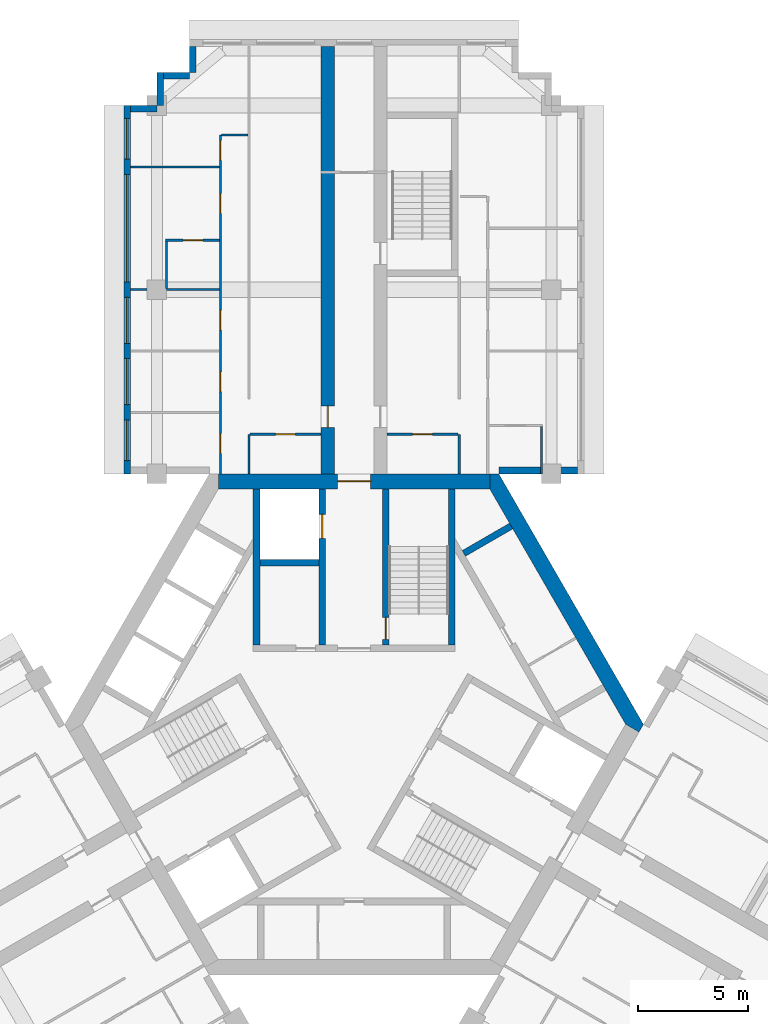
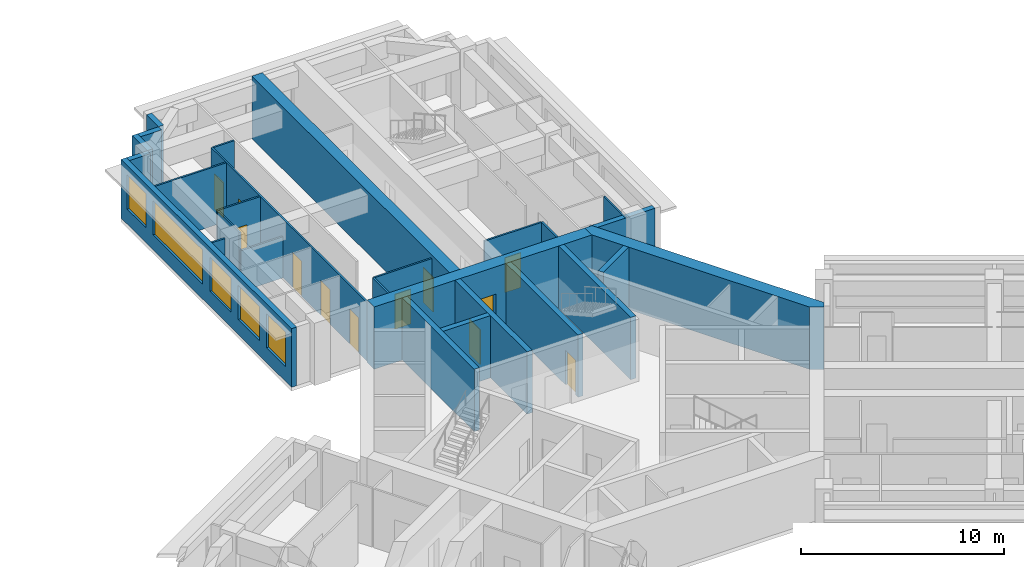
# One storey, part 7 of 10: 27 walls, 12 doors, 5 windows, 17 openings.
"""IFC4 building model written with IfcOpenShell, lengths in metres."""

from ifc_helpers import new_model, si_unit, direction, frame, frame_2d, origin, place, context, subcontext, project, spatial, polyline, rectangle, outline, extrude, material, layer, layer_set, type_object, element, fill, save


model = new_model("IFC4")

# Units and contexts
model_context = context("Model", 3, precision=1e-05, world=origin(), true_north=direction((0.0, 1.0)))
body_context = subcontext(model_context, "Body", "Model", "MODEL_VIEW")
ifc_project = project(units=[si_unit("LENGTHUNIT", "METRE"), si_unit("AREAUNIT", "SQUARE_METRE"), si_unit("VOLUMEUNIT", "CUBIC_METRE"), si_unit("PLANEANGLEUNIT", "RADIAN"), si_unit("MASSUNIT", "GRAM", prefix="KILO")], contexts=[model_context])

# Site, building, storey
site_placement = place(None, origin())
site = spatial("IfcSite", under=ifc_project, at=site_placement, CompositionType="ELEMENT")
building_placement = place(site_placement, origin())
building = spatial("IfcBuilding", under=site, at=building_placement, Name="Impinga Residences", CompositionType="ELEMENT")
storey_placement = place(building_placement, frame((0.0, 0.0, 196.0)))
storey = spatial("IfcBuildingStorey", under=building, at=storey_placement, Name="L48", CompositionType="ELEMENT", Elevation=196.0)

# Wall, opening, door
ifc_material_1 = material(Name="Concrete C60/75", Category="concrete")
ifc_layer_1 = layer(ifc_material_1, 0.60009765625)
ifc_layer_set_1 = layer_set([ifc_layer_1], Name="Concrete C60/75")
wall_type_1 = type_object("IfcWallType", Name="BW3 corridor buttress wall, L46 to L73 600", PredefinedType="SHEAR", material=ifc_layer_set_1)
wall_1_placement = place(storey_placement, frame((-1.199951171875, 11.08154296875, 0.0), z_axis=(0.0, 0.0, 1.0), x_axis=(0.0, 1.0, 0.0)))
wall_1 = element("IfcWall", 1, at=wall_1_placement, inside=storey, type_object=wall_type_1, Name="Corridor wall BW3 NC L48", PredefinedType="SHEAR", context=body_context, shape_type="SweptSolid", body=[
    extrude(rectangle(XDim=19.85009765625, YDim=0.60009765625, at=frame_2d((9.925048828125, 0.0))), origin(), (0.0, 0.0, 1.0), 3.75),
])
opening_1_placement = place(wall_1_placement, frame((2.449951171875, 0.0, 0.0)))
opening_1 = element("IfcOpeningElement", 2, at=opening_1_placement, cuts=wall_1, Name="Opening D1", PredefinedType="OPENING", context=body_context, shape_type="SweptSolid", body=[
    extrude(rectangle(XDim=1.0, YDim=2.10009765625, at=frame_2d((0.5, 1.050048828125))), frame((0.0, 0.31005859375, 0.0), z_axis=(0.0, -1.0, 0.0), x_axis=(1.0, 0.0, 0.0)), (0.0, 0.0, 1.0), 0.6201171875),
])
ifc_material_2 = material(Name="Timber door set", Category="wood")
door_type_1 = type_object("IfcDoorType", Name="D1 apartment entrance door 1000x2100", OperationType="SINGLE_SWING_LEFT", PredefinedType="DOOR", material=ifc_material_2)
door_1_placement = place(opening_1_placement, origin())
door_1 = element("IfcDoor", 3, at=door_1_placement, inside=storey, type_object=door_type_1, Name="Apartment L48-NA1 entrance", OperationType="SINGLE_SWING_LEFT", OverallHeight=2.10009765625, OverallWidth=1.0, PredefinedType="DOOR", context=body_context, shape_type="SweptSolid", body=[
    extrude(rectangle(XDim=1.0, YDim=2.10009765625, at=frame_2d((0.5, 1.050048828125))), frame((0.0, 0.02490234375, 0.0), z_axis=(0.0, -1.0, 0.0), x_axis=(1.0, 0.0, 0.0)), (0.0, 0.0, 1.0), 0.050048828125),
])
fill(opening_1, door_1)

# Wall, openings, windows
ifc_material_3 = material(Name="Terracotta rainscreen on blockwork", Category="masonry")
ifc_layer_2 = layer(ifc_material_3, 0.300048828125)
ifc_layer_set_2 = layer_set([ifc_layer_2], Name="EW1 external wall, terracotta rainscreen on blockwork 300")
wall_type_2 = type_object("IfcWallType", Name="EW1 external wall, terracotta rainscreen on blockwork 300", PredefinedType="SOLIDWALL", material=ifc_layer_set_2)
wall_2_placement = place(storey_placement, frame((-10.35009765625, 11.431640625, 0.0), z_axis=(0.0, 0.0, 1.0), x_axis=(0.0, 1.0, 0.0)))
wall_2 = element("IfcWall", 4, at=wall_2_placement, inside=storey, type_object=wall_type_2, Name="External wall EW1 L48", PredefinedType="SOLIDWALL", context=body_context, shape_type="SweptSolid", body=[
    extrude(rectangle(XDim=16.7998046875, YDim=0.300048828125, at=frame_2d((8.39990234375, 0.0))), origin(), (0.0, 0.0, 1.0), 3.530029296875),
])
opening_2_placement = place(wall_2_placement, frame((0.60009765625, 0.0, 0.89990234375)))
opening_2 = element("IfcOpeningElement", 5, at=opening_2_placement, cuts=wall_2, Name="Opening W15", PredefinedType="OPENING", context=body_context, shape_type="SweptSolid", body=[
    extrude(rectangle(XDim=1.85009765625, YDim=2.050048828125, at=frame_2d((0.925048828125, 1.02490234375))), frame((0.0, 0.159912109375, 0.0), z_axis=(0.0, -1.0, 0.0), x_axis=(1.0, 0.0, 0.0)), (0.0, 0.0, 1.0), 0.320068359375),
])
opening_3_placement = place(wall_2_placement, frame((3.14990234375, 0.0, 0.89990234375)))
opening_3 = element("IfcOpeningElement", 6, at=opening_3_placement, cuts=wall_2, Name="Opening W9", PredefinedType="OPENING", context=body_context, shape_type="SweptSolid", body=[
    extrude(rectangle(XDim=2.10009765625, YDim=2.050048828125, at=frame_2d((1.050048828125, 1.02490234375))), frame((0.0, 0.159912109375, 0.0), z_axis=(0.0, -1.0, 0.0), x_axis=(1.0, 0.0, 0.0)), (0.0, 0.0, 1.0), 0.320068359375),
])
opening_4_placement = place(wall_2_placement, frame((5.949951171875, 0.0, 0.89990234375)))
opening_4 = element("IfcOpeningElement", 7, at=opening_4_placement, cuts=wall_2, Name="Opening W9", PredefinedType="OPENING", context=body_context, shape_type="SweptSolid", body=[
    extrude(rectangle(XDim=2.10009765625, YDim=2.050048828125, at=frame_2d((1.050048828125, 1.02490234375))), frame((0.0, 0.159912109375, 0.0), z_axis=(0.0, -1.0, 0.0), x_axis=(1.0, 0.0, 0.0)), (0.0, 0.0, 1.0), 0.320068359375),
])
opening_5_placement = place(wall_2_placement, frame((8.75, 0.0, 0.89990234375)))
opening_5 = element("IfcOpeningElement", 8, at=opening_5_placement, cuts=wall_2, Name="Opening W16", PredefinedType="OPENING", context=body_context, shape_type="SweptSolid", body=[
    extrude(rectangle(XDim=4.89990234375, YDim=2.050048828125, at=frame_2d((2.449951171875, 1.02490234375))), frame((0.0, 0.159912109375, 0.0), z_axis=(0.0, -1.0, 0.0), x_axis=(1.0, 0.0, 0.0)), (0.0, 0.0, 1.0), 0.320068359375),
])
opening_6_placement = place(wall_2_placement, frame((14.35009765625, 0.0, 0.89990234375)))
opening_6 = element("IfcOpeningElement", 9, at=opening_6_placement, cuts=wall_2, Name="Opening W15", PredefinedType="OPENING", context=body_context, shape_type="SweptSolid", body=[
    extrude(rectangle(XDim=1.85009765625, YDim=2.050048828125, at=frame_2d((0.925048828125, 1.02490234375))), frame((0.0, 0.159912109375, 0.0), z_axis=(0.0, -1.0, 0.0), x_axis=(1.0, 0.0, 0.0)), (0.0, 0.0, 1.0), 0.320068359375),
])
ifc_material_4 = material(Name="Aluminium window, clear double glazing", Category="aluminium")
window_type_1 = type_object("IfcWindowType", Name="W15 ribbon window 1850x2050", PartitioningType="SINGLE_PANEL", PredefinedType="WINDOW", material=ifc_material_4)
window_1_placement = place(opening_2_placement, origin())
window_1 = element("IfcWindow", 10, at=window_1_placement, inside=storey, type_object=window_type_1, Name="Window L48", OverallHeight=2.050048828125, OverallWidth=1.85009765625, PartitioningType="SINGLE_PANEL", PredefinedType="WINDOW", context=body_context, shape_type="SweptSolid", body=[
    extrude(rectangle(XDim=1.85009765625, YDim=2.050048828125, at=frame_2d((0.925048828125, 1.02490234375))), frame((0.0, 0.030029296875, 0.0), z_axis=(0.0, -1.0, 0.0), x_axis=(1.0, 0.0, 0.0)), (0.0, 0.0, 1.0), 0.06005859375),
])
fill(opening_2, window_1)
window_2_placement = place(opening_6_placement, origin())
window_2 = element("IfcWindow", 11, at=window_2_placement, inside=storey, type_object=window_type_1, Name="Window L48", OverallHeight=2.050048828125, OverallWidth=1.85009765625, PartitioningType="SINGLE_PANEL", PredefinedType="WINDOW", context=body_context, shape_type="SweptSolid", body=[
    extrude(rectangle(XDim=1.85009765625, YDim=2.050048828125, at=frame_2d((0.925048828125, 1.02490234375))), frame((0.0, 0.030029296875, 0.0), z_axis=(0.0, -1.0, 0.0), x_axis=(1.0, 0.0, 0.0)), (0.0, 0.0, 1.0), 0.06005859375),
])
fill(opening_6, window_2)
window_type_2 = type_object("IfcWindowType", Name="W16 ribbon window 4900x2050", PartitioningType="SINGLE_PANEL", PredefinedType="WINDOW", material=ifc_material_4)
window_3_placement = place(opening_5_placement, origin())
window_3 = element("IfcWindow", 12, at=window_3_placement, inside=storey, type_object=window_type_2, Name="Window L48", OverallHeight=2.050048828125, OverallWidth=4.89990234375, PartitioningType="SINGLE_PANEL", PredefinedType="WINDOW", context=body_context, shape_type="SweptSolid", body=[
    extrude(rectangle(XDim=4.89990234375, YDim=2.050048828125, at=frame_2d((2.449951171875, 1.02490234375))), frame((0.0, 0.030029296875, 0.0), z_axis=(0.0, -1.0, 0.0), x_axis=(1.0, 0.0, 0.0)), (0.0, 0.0, 1.0), 0.06005859375),
])
fill(opening_5, window_3)
window_type_3 = type_object("IfcWindowType", Name="W9 ribbon window 2100x2050", PartitioningType="SINGLE_PANEL", PredefinedType="WINDOW", material=ifc_material_4)
window_4_placement = place(opening_3_placement, origin())
window_4 = element("IfcWindow", 13, at=window_4_placement, inside=storey, type_object=window_type_3, Name="Window L48", OverallHeight=2.050048828125, OverallWidth=2.10009765625, PartitioningType="SINGLE_PANEL", PredefinedType="WINDOW", context=body_context, shape_type="SweptSolid", body=[
    extrude(rectangle(XDim=2.10009765625, YDim=2.050048828125, at=frame_2d((1.050048828125, 1.02490234375))), frame((0.0, 0.030029296875, 0.0), z_axis=(0.0, -1.0, 0.0), x_axis=(1.0, 0.0, 0.0)), (0.0, 0.0, 1.0), 0.06005859375),
])
fill(opening_3, window_4)
window_5_placement = place(opening_4_placement, origin())
window_5 = element("IfcWindow", 14, at=window_5_placement, inside=storey, type_object=window_type_3, Name="Window L48", OverallHeight=2.050048828125, OverallWidth=2.10009765625, PartitioningType="SINGLE_PANEL", PredefinedType="WINDOW", context=body_context, shape_type="SweptSolid", body=[
    extrude(rectangle(XDim=2.10009765625, YDim=2.050048828125, at=frame_2d((1.050048828125, 1.02490234375))), frame((0.0, 0.030029296875, 0.0), z_axis=(0.0, -1.0, 0.0), x_axis=(1.0, 0.0, 0.0)), (0.0, 0.0, 1.0), 0.06005859375),
])
fill(opening_4, window_5)

# Walls
wall_3_placement = place(storey_placement, frame((-10.199951171875, 28.08154296875, 0.0), z_axis=(0.0, 0.0, 1.0), x_axis=(1.0, 0.0, 0.0)))
element("IfcWall", 15, at=wall_3_placement, inside=storey, type_object=wall_type_2, Name="External wall EW1 L48", PredefinedType="SOLIDWALL", context=body_context, shape_type="SweptSolid", body=[
    extrude(rectangle(XDim=1.199951171875, YDim=0.300048828125, at=frame_2d((0.60009765625, 0.0))), origin(), (0.0, 0.0, 1.0), 3.530029296875),
])
wall_4_placement = place(storey_placement, frame((-8.85009765625, 28.236572265625, 0.0), z_axis=(0.0, 0.0, 1.0), x_axis=(0.0, 1.0, 0.0)))
element("IfcWall", 16, at=wall_4_placement, inside=storey, type_object=wall_type_2, Name="External wall EW1 L48", PredefinedType="SOLIDWALL", context=body_context, shape_type="SweptSolid", body=[
    extrude(rectangle(XDim=1.494873046875, YDim=0.300048828125, at=frame_2d((0.74755859375, 0.0))), origin(), (0.0, 0.0, 1.0), 3.530029296875),
])
wall_5_placement = place(storey_placement, frame((-8.699951171875, 29.58154296875, 0.0), z_axis=(0.0, 0.0, 1.0), x_axis=(1.0, 0.0, 0.0)))
element("IfcWall", 17, at=wall_5_placement, inside=storey, type_object=wall_type_2, Name="External wall EW1 L48", PredefinedType="SOLIDWALL", context=body_context, shape_type="SweptSolid", body=[
    extrude(rectangle(XDim=1.199951171875, YDim=0.300048828125, at=frame_2d((0.60009765625, 0.0))), origin(), (0.0, 0.0, 1.0), 3.530029296875),
])
wall_6_placement = place(storey_placement, frame((-7.35009765625, 29.736572265625, 0.0), z_axis=(0.0, 0.0, 1.0), x_axis=(0.0, 1.0, 0.0)))
element("IfcWall", 18, at=wall_6_placement, inside=storey, type_object=wall_type_2, Name="External wall EW1 L48", PredefinedType="SOLIDWALL", context=body_context, shape_type="SweptSolid", body=[
    extrude(rectangle(XDim=1.195068359375, YDim=0.300048828125, at=frame_2d((0.59765625, 0.0))), origin(), (0.0, 0.0, 1.0), 3.530029296875),
])
wall_7_placement = place(storey_placement, frame((10.199951171875, 11.58154296875, 0.0), z_axis=(0.0, 0.0, 1.0), x_axis=(-1.0, 0.0, 0.0)))
element("IfcWall", 19, at=wall_7_placement, inside=storey, type_object=wall_type_2, Name="External wall EW1 L48", PredefinedType="SOLIDWALL", context=body_context, shape_type="SweptSolid", body=[
    extrude(rectangle(XDim=3.599853515625, YDim=0.300048828125, at=frame_2d((1.7998046875, 0.0))), origin(), (0.0, 0.0, 1.0), 3.530029296875),
])
ifc_material_5 = material(Name="Gypsum board on steel studs", Category="steel")
ifc_layer_3 = layer(ifc_material_5, 0.10009765625)
ifc_layer_set_3 = layer_set([ifc_layer_3], Name="Gypsum board on steel studs")
wall_type_3 = type_object("IfcWallType", Name="IP1 partition 100", PredefinedType="PARTITIONING", material=ifc_layer_set_3)
wall_8_placement = place(storey_placement, frame((-4.800048828125, 11.431640625, 0.0), z_axis=(0.0, 0.0, 1.0), x_axis=(0.0, 1.0, 0.0)))
element("IfcWall", 20, at=wall_8_placement, inside=storey, type_object=wall_type_3, Name="Partition L48-NA1:DIV0", PredefinedType="PARTITIONING", context=body_context, shape_type="SweptSolid", body=[
    extrude(rectangle(XDim=1.7998046875, YDim=0.10009765625, at=frame_2d((0.89990234375, 0.0))), origin(), (0.0, 0.0, 1.0), 3.530029296875),
])

# Wall, openings, doors
wall_9_placement = place(storey_placement, frame((-6.10009765625, 11.431640625, 0.0), z_axis=(0.0, 0.0, 1.0), x_axis=(0.0, 1.0, 0.0)))
wall_9 = element("IfcWall", 21, at=wall_9_placement, inside=storey, type_object=wall_type_3, Name="Partition L48-NA1:STRIP", PredefinedType="PARTITIONING", context=body_context, shape_type="SweptSolid", body=[
    extrude(rectangle(XDim=15.449951171875, YDim=0.10009765625, at=frame_2d((7.72509765625, 0.0))), origin(), (0.0, 0.0, 1.0), 3.530029296875),
])
opening_7_placement = place(wall_9_placement, frame((0.925048828125, 0.0, 0.0)))
opening_7 = element("IfcOpeningElement", 22, at=opening_7_placement, cuts=wall_9, Name="Opening D2", PredefinedType="OPENING", context=body_context, shape_type="SweptSolid", body=[
    extrude(rectangle(XDim=0.89990234375, YDim=2.10009765625, at=frame_2d((0.449951171875, 1.050048828125))), frame((0.0, 0.06005859375, 0.0), z_axis=(0.0, -1.0, 0.0), x_axis=(1.0, 0.0, 0.0)), (0.0, 0.0, 1.0), 0.1201171875),
])
opening_8_placement = place(wall_9_placement, frame((3.75, 0.0, 0.0)))
opening_8 = element("IfcOpeningElement", 23, at=opening_8_placement, cuts=wall_9, Name="Opening D2", PredefinedType="OPENING", context=body_context, shape_type="SweptSolid", body=[
    extrude(rectangle(XDim=0.89990234375, YDim=2.10009765625, at=frame_2d((0.449951171875, 1.050048828125))), frame((0.0, 0.06005859375, 0.0), z_axis=(0.0, -1.0, 0.0), x_axis=(1.0, 0.0, 0.0)), (0.0, 0.0, 1.0), 0.1201171875),
])
opening_9_placement = place(wall_9_placement, frame((6.550048828125, 0.0, 0.0)))
opening_9 = element("IfcOpeningElement", 24, at=opening_9_placement, cuts=wall_9, Name="Opening D2", PredefinedType="OPENING", context=body_context, shape_type="SweptSolid", body=[
    extrude(rectangle(XDim=0.89990234375, YDim=2.10009765625, at=frame_2d((0.449951171875, 1.050048828125))), frame((0.0, 0.06005859375, 0.0), z_axis=(0.0, -1.0, 0.0), x_axis=(1.0, 0.0, 0.0)), (0.0, 0.0, 1.0), 0.1201171875),
])
opening_10_placement = place(wall_9_placement, frame((11.875, 0.0, 0.0)))
opening_10 = element("IfcOpeningElement", 25, at=opening_10_placement, cuts=wall_9, Name="Opening D2", PredefinedType="OPENING", context=body_context, shape_type="SweptSolid", body=[
    extrude(rectangle(XDim=0.89990234375, YDim=2.10009765625, at=frame_2d((0.449951171875, 1.050048828125))), frame((0.0, 0.06005859375, 0.0), z_axis=(0.0, -1.0, 0.0), x_axis=(1.0, 0.0, 0.0)), (0.0, 0.0, 1.0), 0.1201171875),
])
opening_11_placement = place(wall_9_placement, frame((14.300048828125, 0.0, 0.0)))
opening_11 = element("IfcOpeningElement", 26, at=opening_11_placement, cuts=wall_9, Name="Opening D2", PredefinedType="OPENING", context=body_context, shape_type="SweptSolid", body=[
    extrude(rectangle(XDim=0.89990234375, YDim=2.10009765625, at=frame_2d((0.449951171875, 1.050048828125))), frame((0.0, 0.06005859375, 0.0), z_axis=(0.0, -1.0, 0.0), x_axis=(1.0, 0.0, 0.0)), (0.0, 0.0, 1.0), 0.1201171875),
])
door_type_2 = type_object("IfcDoorType", Name="D2 internal door 900x2100", OperationType="SINGLE_SWING_LEFT", PredefinedType="DOOR", material=ifc_material_2)
door_2_placement = place(opening_7_placement, origin())
door_2 = element("IfcDoor", 27, at=door_2_placement, inside=storey, type_object=door_type_2, Name="Apartment L48-NA1 room door", OperationType="SINGLE_SWING_LEFT", OverallHeight=2.10009765625, OverallWidth=0.89990234375, PredefinedType="DOOR", context=body_context, shape_type="SweptSolid", body=[
    extrude(rectangle(XDim=0.89990234375, YDim=2.10009765625, at=frame_2d((0.449951171875, 1.050048828125))), frame((0.0, 0.02490234375, 0.0), z_axis=(0.0, -1.0, 0.0), x_axis=(1.0, 0.0, 0.0)), (0.0, 0.0, 1.0), 0.050048828125),
])
fill(opening_7, door_2)
door_3_placement = place(opening_8_placement, origin())
door_3 = element("IfcDoor", 28, at=door_3_placement, inside=storey, type_object=door_type_2, Name="Apartment L48-NA1 room door", OperationType="SINGLE_SWING_LEFT", OverallHeight=2.10009765625, OverallWidth=0.89990234375, PredefinedType="DOOR", context=body_context, shape_type="SweptSolid", body=[
    extrude(rectangle(XDim=0.89990234375, YDim=2.10009765625, at=frame_2d((0.449951171875, 1.050048828125))), frame((0.0, 0.02490234375, 0.0), z_axis=(0.0, -1.0, 0.0), x_axis=(1.0, 0.0, 0.0)), (0.0, 0.0, 1.0), 0.050048828125),
])
fill(opening_8, door_3)
door_4_placement = place(opening_9_placement, origin())
door_4 = element("IfcDoor", 29, at=door_4_placement, inside=storey, type_object=door_type_2, Name="Apartment L48-NA1 room door", OperationType="SINGLE_SWING_LEFT", OverallHeight=2.10009765625, OverallWidth=0.89990234375, PredefinedType="DOOR", context=body_context, shape_type="SweptSolid", body=[
    extrude(rectangle(XDim=0.89990234375, YDim=2.10009765625, at=frame_2d((0.449951171875, 1.050048828125))), frame((0.0, 0.02490234375, 0.0), z_axis=(0.0, -1.0, 0.0), x_axis=(1.0, 0.0, 0.0)), (0.0, 0.0, 1.0), 0.050048828125),
])
fill(opening_9, door_4)
door_5_placement = place(opening_10_placement, origin())
door_5 = element("IfcDoor", 30, at=door_5_placement, inside=storey, type_object=door_type_2, Name="Apartment L48-NA1 room door", OperationType="SINGLE_SWING_RIGHT", OverallHeight=2.10009765625, OverallWidth=0.89990234375, PredefinedType="DOOR", context=body_context, shape_type="SweptSolid", body=[
    extrude(rectangle(XDim=0.89990234375, YDim=2.10009765625, at=frame_2d((0.449951171875, 1.050048828125))), frame((0.0, 0.02490234375, 0.0), z_axis=(0.0, -1.0, 0.0), x_axis=(1.0, 0.0, 0.0)), (0.0, 0.0, 1.0), 0.050048828125),
])
fill(opening_10, door_5)
door_6_placement = place(opening_11_placement, origin())
door_6 = element("IfcDoor", 31, at=door_6_placement, inside=storey, type_object=door_type_2, Name="Apartment L48-NA1 room door", OperationType="SINGLE_SWING_RIGHT", OverallHeight=2.10009765625, OverallWidth=0.89990234375, PredefinedType="DOOR", context=body_context, shape_type="SweptSolid", body=[
    extrude(rectangle(XDim=0.89990234375, YDim=2.10009765625, at=frame_2d((0.449951171875, 1.050048828125))), frame((0.0, 0.02490234375, 0.0), z_axis=(0.0, -1.0, 0.0), x_axis=(1.0, 0.0, 0.0)), (0.0, 0.0, 1.0), 0.050048828125),
])
fill(opening_11, door_6)

# Wall
wall_10_placement = place(storey_placement, frame((-4.85009765625, 26.881591796875, 0.0), z_axis=(0.0, 0.0, 1.0), x_axis=(-1.0, 0.0, 0.0)))
element("IfcWall", 32, at=wall_10_placement, inside=storey, type_object=wall_type_3, Name="Partition L48-NA1:SE1", PredefinedType="PARTITIONING", context=body_context, shape_type="SweptSolid", body=[
    extrude(rectangle(XDim=1.199951171875, YDim=0.10009765625, at=frame_2d((0.60009765625, 0.0))), origin(), (0.0, 0.0, 1.0), 3.530029296875),
])

# Wall, opening, door
wall_11_placement = place(storey_placement, frame((-1.5, 13.2314453125, 0.0), z_axis=(0.0, 0.0, 1.0), x_axis=(-1.0, 0.0, 0.0)))
wall_11 = element("IfcWall", 33, at=wall_11_placement, inside=storey, type_object=wall_type_3, Name="Partition L48-NA1:IB1", PredefinedType="PARTITIONING", context=body_context, shape_type="SweptSolid", body=[
    extrude(rectangle(XDim=3.25, YDim=0.10009765625, at=frame_2d((1.625, 0.0))), origin(), (0.0, 0.0, 1.0), 3.530029296875),
])
opening_12_placement = place(wall_11_placement, frame((1.175048828125, 0.0, 0.0)))
opening_12 = element("IfcOpeningElement", 34, at=opening_12_placement, cuts=wall_11, Name="Opening D2", PredefinedType="OPENING", context=body_context, shape_type="SweptSolid", body=[
    extrude(rectangle(XDim=0.89990234375, YDim=2.10009765625, at=frame_2d((0.449951171875, 1.050048828125))), frame((0.0, 0.06005859375, 0.0), z_axis=(0.0, -1.0, 0.0), x_axis=(1.0, 0.0, 0.0)), (0.0, 0.0, 1.0), 0.1201171875),
])
door_7_placement = place(opening_12_placement, origin())
door_7 = element("IfcDoor", 35, at=door_7_placement, inside=storey, type_object=door_type_2, Name="Apartment L48-NA1 bathroom door", OperationType="SINGLE_SWING_LEFT", OverallHeight=2.10009765625, OverallWidth=0.89990234375, PredefinedType="DOOR", context=body_context, shape_type="SweptSolid", body=[
    extrude(rectangle(XDim=0.89990234375, YDim=2.10009765625, at=frame_2d((0.449951171875, 1.050048828125))), frame((0.0, 0.02490234375, 0.0), z_axis=(0.0, -1.0, 0.0), x_axis=(1.0, 0.0, 0.0)), (0.0, 0.0, 1.0), 0.050048828125),
])
fill(opening_12, door_7)

# Walls
wall_12_placement = place(storey_placement, frame((-6.14990234375, 19.83154296875, 0.0), z_axis=(0.0, 0.0, 1.0), x_axis=(-1.0, 0.0, 0.0)))
element("IfcWall", 36, at=wall_12_placement, inside=storey, type_object=wall_type_3, Name="Partition L48-NA1:OB3", PredefinedType="PARTITIONING", context=body_context, shape_type="SweptSolid", body=[
    extrude(rectangle(XDim=2.400146484375, YDim=0.10009765625, at=frame_2d((1.2001953125, 0.0))), origin(), (0.0, 0.0, 1.0), 2.47998046875),
])
wall_13_placement = place(storey_placement, frame((-9.449951171875, 19.83154296875, 0.0), z_axis=(0.0, 0.0, 1.0), x_axis=(-1.0, 0.0, 0.0)))
element("IfcWall", 37, at=wall_13_placement, inside=storey, type_object=wall_type_3, Name="Partition L48-NA1:OB3b", PredefinedType="PARTITIONING", context=body_context, shape_type="SweptSolid", body=[
    extrude(rectangle(XDim=0.75, YDim=0.10009765625, at=frame_2d((0.375, 0.0))), origin(), (0.0, 0.0, 1.0), 3.530029296875),
])
wall_14_placement = place(storey_placement, frame((-6.14990234375, 25.431640625, 0.0), z_axis=(0.0, 0.0, 1.0), x_axis=(-1.0, 0.0, 0.0)))
element("IfcWall", 38, at=wall_14_placement, inside=storey, type_object=wall_type_3, Name="Partition L48-NA1:OB4", PredefinedType="PARTITIONING", context=body_context, shape_type="SweptSolid", body=[
    extrude(rectangle(XDim=4.050048828125, YDim=0.10009765625, at=frame_2d((2.02490234375, 0.0))), origin(), (0.0, 0.0, 1.0), 3.530029296875),
])

# Wall, opening, door
wall_15_placement = place(storey_placement, frame((-6.14990234375, 22.08154296875, 0.0), z_axis=(0.0, 0.0, 1.0), x_axis=(-1.0, 0.0, 0.0)))
wall_15 = element("IfcWall", 39, at=wall_15_placement, inside=storey, type_object=wall_type_3, Name="Partition L48-NA1:EN1", PredefinedType="PARTITIONING", context=body_context, shape_type="SweptSolid", body=[
    extrude(rectangle(XDim=2.4501953125, YDim=0.10009765625, at=frame_2d((1.22509765625, 0.0))), origin(), (0.0, 0.0, 1.0), 3.530029296875),
])
opening_13_placement = place(wall_15_placement, frame((0.75, 0.0, 0.0)))
opening_13 = element("IfcOpeningElement", 40, at=opening_13_placement, cuts=wall_15, Name="Opening D2", PredefinedType="OPENING", context=body_context, shape_type="SweptSolid", body=[
    extrude(rectangle(XDim=0.89990234375, YDim=2.10009765625, at=frame_2d((0.449951171875, 1.050048828125))), frame((0.0, 0.06005859375, 0.0), z_axis=(0.0, -1.0, 0.0), x_axis=(1.0, 0.0, 0.0)), (0.0, 0.0, 1.0), 0.1201171875),
])
door_8_placement = place(opening_13_placement, origin())
door_8 = element("IfcDoor", 41, at=door_8_placement, inside=storey, type_object=door_type_2, Name="Apartment L48-NA1 en-suite door", OperationType="SINGLE_SWING_LEFT", OverallHeight=2.10009765625, OverallWidth=0.89990234375, PredefinedType="DOOR", context=body_context, shape_type="SweptSolid", body=[
    extrude(rectangle(XDim=0.89990234375, YDim=2.10009765625, at=frame_2d((0.449951171875, 1.050048828125))), frame((0.0, 0.02490234375, 0.0), z_axis=(0.0, -1.0, 0.0), x_axis=(1.0, 0.0, 0.0)), (0.0, 0.0, 1.0), 0.050048828125),
])
fill(opening_13, door_8)

# Walls
wall_16_placement = place(storey_placement, frame((-8.550048828125, 19.881591796875, 0.0), z_axis=(0.0, 0.0, 1.0), x_axis=(0.0, 1.0, 0.0)))
element("IfcWall", 42, at=wall_16_placement, inside=storey, type_object=wall_type_3, Name="Partition L48-NA1:EN2", PredefinedType="PARTITIONING", context=body_context, shape_type="SweptSolid", body=[
    extrude(rectangle(XDim=2.14990234375, YDim=0.10009765625, at=frame_2d((1.074951171875, 0.0))), origin(), (0.0, 0.0, 1.0), 3.530029296875),
])
wall_17_placement = place(storey_placement, frame((4.800048828125, 11.431640625, 0.0), z_axis=(0.0, 0.0, 1.0), x_axis=(0.0, 1.0, 0.0)))
element("IfcWall", 43, at=wall_17_placement, inside=storey, type_object=wall_type_3, Name="Partition L48-NF1:DIV0", PredefinedType="PARTITIONING", context=body_context, shape_type="SweptSolid", body=[
    extrude(rectangle(XDim=1.7998046875, YDim=0.10009765625, at=frame_2d((0.89990234375, 0.0))), origin(), (0.0, 0.0, 1.0), 3.530029296875),
])

# Wall, opening, door
wall_18_placement = place(storey_placement, frame((1.5, 13.2314453125, 0.0), z_axis=(0.0, 0.0, 1.0), x_axis=(1.0, 0.0, 0.0)))
wall_18 = element("IfcWall", 44, at=wall_18_placement, inside=storey, type_object=wall_type_3, Name="Partition L48-NF1:IB1", PredefinedType="PARTITIONING", context=body_context, shape_type="SweptSolid", body=[
    extrude(rectangle(XDim=3.25, YDim=0.10009765625, at=frame_2d((1.625, 0.0))), origin(), (0.0, 0.0, 1.0), 3.530029296875),
])
opening_14_placement = place(wall_18_placement, frame((1.175048828125, 0.0, 0.0)))
opening_14 = element("IfcOpeningElement", 45, at=opening_14_placement, cuts=wall_18, Name="Opening D2", PredefinedType="OPENING", context=body_context, shape_type="SweptSolid", body=[
    extrude(rectangle(XDim=0.89990234375, YDim=2.10009765625, at=frame_2d((0.449951171875, 1.050048828125))), frame((0.0, 0.06005859375, 0.0), z_axis=(0.0, -1.0, 0.0), x_axis=(1.0, 0.0, 0.0)), (0.0, 0.0, 1.0), 0.1201171875),
])
door_9_placement = place(opening_14_placement, origin())
door_9 = element("IfcDoor", 46, at=door_9_placement, inside=storey, type_object=door_type_2, Name="Apartment L48-NF1 bathroom door", OperationType="SINGLE_SWING_LEFT", OverallHeight=2.10009765625, OverallWidth=0.89990234375, PredefinedType="DOOR", context=body_context, shape_type="SweptSolid", body=[
    extrude(rectangle(XDim=0.89990234375, YDim=2.10009765625, at=frame_2d((0.449951171875, 1.050048828125))), frame((0.0, 0.02490234375, 0.0), z_axis=(0.0, -1.0, 0.0), x_axis=(1.0, 0.0, 0.0)), (0.0, 0.0, 1.0), 0.050048828125),
])
fill(opening_14, door_9)

# Wall
wall_19_placement = place(storey_placement, frame((8.550048828125, 11.431640625, 0.0), z_axis=(0.0, 0.0, 1.0), x_axis=(0.0, 1.0, 0.0)))
element("IfcWall", 47, at=wall_19_placement, inside=storey, type_object=wall_type_3, Name="Partition L48-NF1:EN2", PredefinedType="PARTITIONING", context=body_context, shape_type="SweptSolid", body=[
    extrude(rectangle(XDim=2.14990234375, YDim=0.10009765625, at=frame_2d((1.074951171875, 0.0))), origin(), (0.0, 0.0, 1.0), 3.530029296875),
])

# Wall, opening, door
ifc_layer_4 = layer(ifc_material_1, 0.699951171875)
ifc_layer_set_4 = layer_set([ifc_layer_4], Name="Concrete C60/75")
wall_type_4 = type_object("IfcWallType", Name="SW3 core wall 700", PredefinedType="SHEAR", material=ifc_layer_set_4)
wall_20_placement = place(storey_placement, frame((-6.19580078125, 11.08154296875, 0.0), z_axis=(0.0, 0.0, 1.0), x_axis=(1.0, 0.0, 0.0)))
wall_20 = element("IfcWall", 48, at=wall_20_placement, inside=storey, type_object=wall_type_4, Name="Core wall SW3 N:FACE L48", PredefinedType="SHEAR", context=body_context, shape_type="SweptSolid", body=[
    extrude(rectangle(XDim=12.3916015625, YDim=0.699951171875, at=frame_2d((6.19580078125, 0.0))), origin(), (0.0, 0.0, 1.0), 3.75),
])
opening_15_placement = place(wall_20_placement, frame((5.44580078125, 0.0, 0.0)))
opening_15 = element("IfcOpeningElement", 49, at=opening_15_placement, cuts=wall_20, Name="Opening D4", PredefinedType="OPENING", context=body_context, shape_type="SweptSolid", body=[
    extrude(rectangle(XDim=1.5, YDim=2.10009765625, at=frame_2d((0.75, 1.050048828125))), frame((0.0, 0.35986328125, 0.0), z_axis=(0.0, -1.0, 0.0), x_axis=(1.0, 0.0, 0.0)), (0.0, 0.0, 1.0), 0.719970703125),
])
door_type_3 = type_object("IfcDoorType", Name="D4 lobby door pair 1500x2100", OperationType="DOUBLE_DOOR_DOUBLE_SWING", PredefinedType="DOOR", material=ifc_material_2)
door_10_placement = place(opening_15_placement, origin())
door_10 = element("IfcDoor", 50, at=door_10_placement, inside=storey, type_object=door_type_3, Name="Lobby door N", OperationType="DOUBLE_DOOR_DOUBLE_SWING", OverallHeight=2.10009765625, OverallWidth=1.5, PredefinedType="DOOR", context=body_context, shape_type="SweptSolid", body=[
    extrude(rectangle(XDim=1.5, YDim=2.10009765625, at=frame_2d((0.75, 1.050048828125))), frame((0.0, 0.02490234375, 0.0), z_axis=(0.0, -1.0, 0.0), x_axis=(1.0, 0.0, 0.0)), (0.0, 0.0, 1.0), 0.050048828125),
])
fill(opening_15, door_10)

# Wall
wall_21_placement = place(storey_placement, origin())
element("IfcWall", 51, at=wall_21_placement, inside=storey, type_object=wall_type_4, Name="Core wall SW3 W:EXPOSED L48", PredefinedType="SHEAR", context=body_context, shape_type="SweptSolid", body=[
    extrude(outline(polyline([(13.199951171875, 0.0), (6.60009765625, 11.431640625), (6.19580078125, 11.431640625), (6.19580078125, 10.7314453125), (12.3916015625, 0.0), (12.998046875, -0.35009765625), (13.199951171875, 0.0)])), origin(), (0.0, 0.0, 1.0), 3.75),
])

# Wall, opening, door
ifc_material_6 = material(Name="Concrete C70/85", Category="concrete")
ifc_layer_5 = layer(ifc_material_6, 0.300048828125)
ifc_layer_set_5 = layer_set([ifc_layer_5], Name="Concrete C70/85")
wall_type_5 = type_object("IfcWallType", Name="SW5 core inner wall, stairs, shafts and lobbies 300", PredefinedType="SHEAR", material=ifc_layer_set_5)
wall_22_placement = place(storey_placement, frame((1.449951171875, 3.6298828125, 0.0), z_axis=(0.0, 0.0, 1.0), x_axis=(0.0, 1.0, 0.0)))
wall_22 = element("IfcWall", 52, at=wall_22_placement, inside=storey, type_object=wall_type_5, Name="Core wall SW5 N:ST-IN L48", PredefinedType="SHEAR", context=body_context, shape_type="SweptSolid", body=[
    extrude(rectangle(XDim=7.1015625, YDim=0.300048828125, at=frame_2d((3.55078125, 0.0))), origin(), (0.0, 0.0, 1.0), 3.75),
])
opening_16_placement = place(wall_22_placement, frame((0.25, 0.0, 0.0)))
opening_16 = element("IfcOpeningElement", 53, at=opening_16_placement, cuts=wall_22, Name="Opening D5", PredefinedType="OPENING", context=body_context, shape_type="SweptSolid", body=[
    extrude(rectangle(XDim=1.0, YDim=2.10009765625, at=frame_2d((0.5, 1.050048828125))), frame((0.0, 0.159912109375, 0.0), z_axis=(0.0, -1.0, 0.0), x_axis=(1.0, 0.0, 0.0)), (0.0, 0.0, 1.0), 0.320068359375),
])
door_type_4 = type_object("IfcDoorType", Name="D5 stair door 1000x2100", OperationType="SINGLE_SWING_LEFT", PredefinedType="DOOR", material=ifc_material_2)
door_11_placement = place(opening_16_placement, origin())
door_11 = element("IfcDoor", 54, at=door_11_placement, inside=storey, type_object=door_type_4, Name="Stair door N", OperationType="SINGLE_SWING_LEFT", OverallHeight=2.10009765625, OverallWidth=1.0, PredefinedType="DOOR", context=body_context, shape_type="SweptSolid", body=[
    extrude(rectangle(XDim=1.0, YDim=2.10009765625, at=frame_2d((0.5, 1.050048828125))), frame((0.0, 0.02490234375, 0.0), z_axis=(0.0, -1.0, 0.0), x_axis=(1.0, 0.0, 0.0)), (0.0, 0.0, 1.0), 0.050048828125),
])
fill(opening_16, door_11)

# Wall
wall_23_placement = place(storey_placement, frame((4.449951171875, 3.6298828125, 0.0), z_axis=(0.0, 0.0, 1.0), x_axis=(0.0, 1.0, 0.0)))
element("IfcWall", 55, at=wall_23_placement, inside=storey, type_object=wall_type_5, Name="Core wall SW5 N:ST-OUT L48", PredefinedType="SHEAR", context=body_context, shape_type="SweptSolid", body=[
    extrude(rectangle(XDim=7.1015625, YDim=0.300048828125, at=frame_2d((3.55078125, 0.0))), origin(), (0.0, 0.0, 1.0), 3.75),
])

# Wall, opening, door
wall_24_placement = place(storey_placement, frame((-1.449951171875, 3.6298828125, 0.0), z_axis=(0.0, 0.0, 1.0), x_axis=(0.0, 1.0, 0.0)))
wall_24 = element("IfcWall", 56, at=wall_24_placement, inside=storey, type_object=wall_type_5, Name="Core wall SW5 N:FF-IN L48", PredefinedType="SHEAR", context=body_context, shape_type="SweptSolid", body=[
    extrude(rectangle(XDim=7.1015625, YDim=0.300048828125, at=frame_2d((3.55078125, 0.0))), origin(), (0.0, 0.0, 1.0), 3.75),
])
opening_17_placement = place(wall_24_placement, frame((4.85009765625, 0.0, 0.0)))
opening_17 = element("IfcOpeningElement", 57, at=opening_17_placement, cuts=wall_24, Name="Opening LD2", PredefinedType="OPENING", context=body_context, shape_type="SweptSolid", body=[
    extrude(rectangle(XDim=1.10009765625, YDim=2.10009765625, at=frame_2d((0.550048828125, 1.050048828125))), frame((0.0, 0.159912109375, 0.0), z_axis=(0.0, -1.0, 0.0), x_axis=(1.0, 0.0, 0.0)), (0.0, 0.0, 1.0), 0.320068359375),
])
ifc_material_7 = material(Name="Steel lift landing door", Category="steel")
door_type_5 = type_object("IfcDoorType", Name="LD2 firefighting lift landing door 1100x2100", OperationType="DOUBLE_DOOR_SLIDING", PredefinedType="DOOR", material=ifc_material_7)
door_12_placement = place(opening_17_placement, origin())
door_12 = element("IfcDoor", 58, at=door_12_placement, inside=storey, type_object=door_type_5, Name="Firefighting lift landing door F1", OperationType="DOUBLE_DOOR_SLIDING", OverallHeight=2.10009765625, OverallWidth=1.10009765625, PredefinedType="DOOR", context=body_context, shape_type="SweptSolid", body=[
    extrude(rectangle(XDim=1.10009765625, YDim=2.10009765625, at=frame_2d((0.550048828125, 1.050048828125))), frame((0.0, 0.02490234375, 0.0), z_axis=(0.0, -1.0, 0.0), x_axis=(1.0, 0.0, 0.0)), (0.0, 0.0, 1.0), 0.050048828125),
])
fill(opening_17, door_12)

# Walls
wall_25_placement = place(storey_placement, frame((-4.449951171875, 3.6298828125, 0.0), z_axis=(0.0, 0.0, 1.0), x_axis=(0.0, 1.0, 0.0)))
element("IfcWall", 59, at=wall_25_placement, inside=storey, type_object=wall_type_5, Name="Core wall SW5 N:FF-OUT L48", PredefinedType="SHEAR", context=body_context, shape_type="SweptSolid", body=[
    extrude(rectangle(XDim=7.1015625, YDim=0.300048828125, at=frame_2d((3.55078125, 0.0))), origin(), (0.0, 0.0, 1.0), 3.75),
])
wall_26_placement = place(storey_placement, frame((-4.300048828125, 7.3798828125, 0.0), z_axis=(0.0, 0.0, 1.0), x_axis=(1.0, 0.0, 0.0)))
element("IfcWall", 60, at=wall_26_placement, inside=storey, type_object=wall_type_5, Name="Core wall SW5 N:FF-RS L48", PredefinedType="SHEAR", context=body_context, shape_type="SweptSolid", body=[
    extrude(rectangle(XDim=2.699951171875, YDim=0.300048828125, at=frame_2d((1.35009765625, 0.0))), origin(), (0.0, 0.0, 1.0), 3.75),
])
wall_27_placement = place(storey_placement, frame((5.003662109375, 7.79638671875, 0.0), z_axis=(0.0, 0.0, 1.0), x_axis=(0.866022959057, 0.500004234368, 0.0)))
element("IfcWall", 61, at=wall_27_placement, inside=storey, type_object=wall_type_5, Name="Core wall SW5 W:BANK-L L48", PredefinedType="SHEAR", context=body_context, shape_type="SweptSolid", body=[
    extrude(rectangle(XDim=2.5, YDim=0.300048828125, at=frame_2d((1.25, 0.0))), origin(), (0.0, 0.0, 1.0), 3.75),
])

save(model, "model.ifc")
